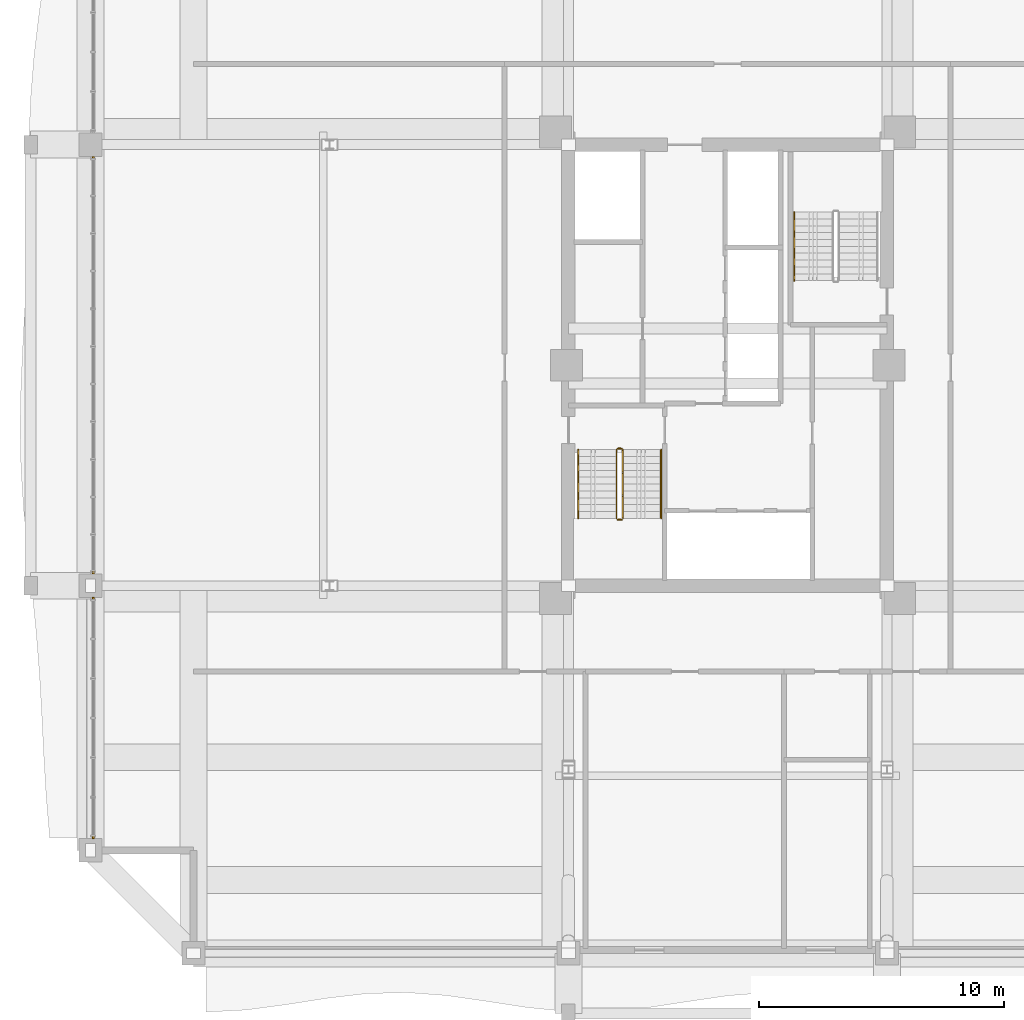
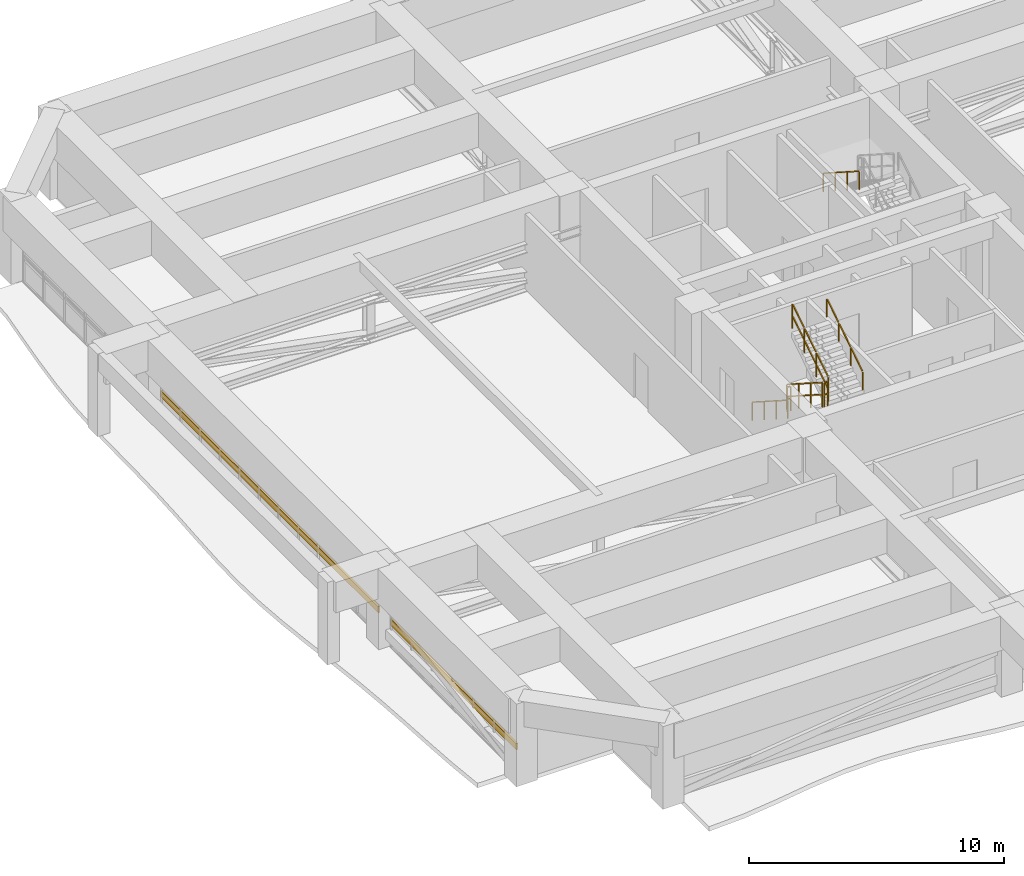
# One storey, part 32 of 35: 7 railings, 2 shading devices.
"""IFC4 building model written with IfcOpenShell, lengths in metres."""

from ifc_helpers import new_model, si_unit, direction, frame, origin, origin_2d, place, context, subcontext, project, spatial, rectangle, extrude, source, transform, mapped, material, material_profile, profile_set, type_object, element, save


model = new_model("IFC4")

# Units and contexts
model_context = context("Model", 3, precision=1e-05, world=origin(), true_north=direction((0.0, 1.0)))
body_context = subcontext(model_context, "Body", "Model", "MODEL_VIEW")
ifc_project = project(units=[si_unit("LENGTHUNIT", "METRE"), si_unit("AREAUNIT", "SQUARE_METRE"), si_unit("VOLUMEUNIT", "CUBIC_METRE"), si_unit("PLANEANGLEUNIT", "RADIAN"), si_unit("MASSUNIT", "GRAM", prefix="KILO")], contexts=[model_context])

# Site, building, storey
site_placement = place(None, origin())
site = spatial("IfcSite", under=ifc_project, at=site_placement, CompositionType="ELEMENT")
building_placement = place(site_placement, origin())
building = spatial("IfcBuilding", under=site, at=building_placement, Name="Saelheon Loggia Tower", CompositionType="ELEMENT")
storey_placement = place(building_placement, frame((0.0, 0.0, 144.75)))
storey = spatial("IfcBuildingStorey", under=building, at=storey_placement, Name="L46", CompositionType="ELEMENT", Elevation=144.75)

# Railings
ifc_material_1 = material(Name="Galvanised Steel S275 Stairwell Guardrail", Category="steel")
railing_type_1 = type_object("IfcRailingType", Name="Guard_StairWell_RL_STG", PredefinedType="GUARDRAIL", material=ifc_material_1)
railing_1_placement = place(storey_placement, frame((33.4599609375, 23.550048828125, 0.179443359375)))
element("IfcRailing", 1, at=railing_1_placement, inside=storey, type_object=railing_type_1, Name="L46 ST1 stair guard 1", PredefinedType="GUARDRAIL", context=body_context, shape_type="SweptSolid", body=[
    extrude(rectangle(XDim=0.048095703125, YDim=0.048095703125, at=origin_2d()), frame((0.0, -0.028076171875, 1.19384765625), z_axis=(0.0, -0.841776520102, 0.539826166654), x_axis=(1.0, 0.0, 0.0)), (0.0, 0.0, 1.0), 1.042236328125),
    extrude(rectangle(XDim=0.048095703125, YDim=0.048095703125, at=origin_2d()), frame((0.0, -0.028076171875, 0.617919921875), z_axis=(0.0, -0.841776520102, 0.539826166654), x_axis=(1.0, 0.0, 0.0)), (0.0, 0.0, 1.0), 1.042236328125),
    extrude(rectangle(XDim=0.048095703125, YDim=0.048095703125, at=origin_2d()), frame((0.0, -0.96142578125, 1.79248046875), z_axis=(0.0, -0.841776520102, 0.539826166654), x_axis=(1.0, 0.0, 0.0)), (0.0, 0.0, 1.0), 1.042236328125),
    extrude(rectangle(XDim=0.048095703125, YDim=0.048095703125, at=origin_2d()), frame((0.0, -0.96142578125, 1.216552734375), z_axis=(0.0, -0.841776520102, 0.539826166654), x_axis=(1.0, 0.0, 0.0)), (0.0, 0.0, 1.0), 1.042236328125),
    extrude(rectangle(XDim=0.048095703125, YDim=0.048095703125, at=origin_2d()), frame((0.0, -1.894775390625, 2.390869140625), z_axis=(0.0, -0.841776520102, 0.539826166654), x_axis=(1.0, 0.0, 0.0)), (0.0, 0.0, 1.0), 1.042236328125),
    extrude(rectangle(XDim=0.048095703125, YDim=0.048095703125, at=origin_2d()), frame((0.0, -1.894775390625, 1.81494140625), z_axis=(0.0, -0.841776520102, 0.539826166654), x_axis=(1.0, 0.0, 0.0)), (0.0, 0.0, 1.0), 1.042236328125),
    extrude(rectangle(XDim=0.0419921875, YDim=0.0419921875, at=origin_2d()), origin(), (0.0, 0.0, 1.0), 1.14794921875),
    extrude(rectangle(XDim=0.0419921875, YDim=0.0419921875, at=origin_2d()), frame((0.0, -0.933349609375, 0.5986328125)), (0.0, 0.0, 1.0), 1.14794921875),
    extrude(rectangle(XDim=0.0419921875, YDim=0.0419921875, at=origin_2d()), frame((0.0, -1.86669921875, 1.197021484375)), (0.0, 0.0, 1.0), 1.14794921875),
    extrude(rectangle(XDim=0.0419921875, YDim=0.0419921875, at=origin_2d()), frame((0.0, -2.800048828125, 1.795654296875)), (0.0, 0.0, 1.0), 1.14794921875),
])
railing_2_placement = place(storey_placement, frame((33.510009765625, 20.699951171875, 1.97509765625)))
element("IfcRailing", 2, at=railing_2_placement, inside=storey, type_object=railing_type_1, Name="L46 ST1 stair guard 2", PredefinedType="GUARDRAIL", context=body_context, shape_type="SweptSolid", body=[
    extrude(rectangle(XDim=0.048095703125, YDim=0.048095703125, at=origin_2d()), frame((0.033203125, 0.0, 1.17578125), z_axis=(1.0, 0.0, 0.0), x_axis=(0.0, 1.0, 0.0)), (0.0, 0.0, 1.0), 0.093505859375),
    extrude(rectangle(XDim=0.048095703125, YDim=0.048095703125, at=origin_2d()), frame((0.033203125, 0.0, 0.60009765625), z_axis=(1.0, 0.0, 0.0), x_axis=(0.0, 1.0, 0.0)), (0.0, 0.0, 1.0), 0.093505859375),
    extrude(rectangle(XDim=0.0419921875, YDim=0.0419921875, at=origin_2d()), origin(), (0.0, 0.0, 1.0), 1.14794921875),
    extrude(rectangle(XDim=0.0419921875, YDim=0.0419921875, at=origin_2d()), frame((0.159912109375, 0.0, 0.0)), (0.0, 0.0, 1.0), 1.14794921875),
])
railing_3_placement = place(storey_placement, frame((33.719970703125, 20.75, 2.154541015625)))
element("IfcRailing", 3, at=railing_3_placement, inside=storey, type_object=railing_type_1, Name="L46 ST1 stair guard 3", PredefinedType="GUARDRAIL", context=body_context, shape_type="SweptSolid", body=[
    extrude(rectangle(XDim=0.048095703125, YDim=0.048095703125, at=origin_2d()), frame((0.0, 0.028076171875, 1.19384765625), z_axis=(0.0, 0.841809871826, 0.539774156196), x_axis=(-1.0, 0.0, 0.0)), (0.0, 0.0, 1.0), 1.042236328125),
    extrude(rectangle(XDim=0.048095703125, YDim=0.048095703125, at=origin_2d()), frame((0.0, 0.028076171875, 0.617919921875), z_axis=(0.0, 0.841809871826, 0.539774156196), x_axis=(-1.0, 0.0, 0.0)), (0.0, 0.0, 1.0), 1.042236328125),
    extrude(rectangle(XDim=0.048095703125, YDim=0.048095703125, at=origin_2d()), frame((0.0, 0.96142578125, 1.792236328125), z_axis=(0.0, 0.841809871826, 0.539774156196), x_axis=(-1.0, 0.0, 0.0)), (0.0, 0.0, 1.0), 1.042236328125),
    extrude(rectangle(XDim=0.048095703125, YDim=0.048095703125, at=origin_2d()), frame((0.0, 0.96142578125, 1.21630859375), z_axis=(0.0, 0.841809871826, 0.539774156196), x_axis=(-1.0, 0.0, 0.0)), (0.0, 0.0, 1.0), 1.042236328125),
    extrude(rectangle(XDim=0.048095703125, YDim=0.048095703125, at=origin_2d()), frame((0.0, 1.894775390625, 2.390869140625), z_axis=(0.0, 0.841809871826, 0.539774156196), x_axis=(-1.0, 0.0, 0.0)), (0.0, 0.0, 1.0), 1.042236328125),
    extrude(rectangle(XDim=0.048095703125, YDim=0.048095703125, at=origin_2d()), frame((0.0, 1.894775390625, 1.81494140625), z_axis=(0.0, 0.841809871826, 0.539774156196), x_axis=(-1.0, 0.0, 0.0)), (0.0, 0.0, 1.0), 1.042236328125),
    extrude(rectangle(XDim=0.0419921875, YDim=0.0419921875, at=origin_2d()), origin(), (0.0, 0.0, 1.0), 1.14794921875),
    extrude(rectangle(XDim=0.0419921875, YDim=0.0419921875, at=origin_2d()), frame((0.0, 0.933349609375, 0.598388671875)), (0.0, 0.0, 1.0), 1.14794921875),
    extrude(rectangle(XDim=0.0419921875, YDim=0.0419921875, at=origin_2d()), frame((0.0, 1.86669921875, 1.197021484375)), (0.0, 0.0, 1.0), 1.14794921875),
    extrude(rectangle(XDim=0.0419921875, YDim=0.0419921875, at=origin_2d()), frame((0.0, 2.800048828125, 1.79541015625)), (0.0, 0.0, 1.0), 1.14794921875),
])
railing_4_placement = place(storey_placement, frame((33.510009765625, 23.60009765625, 0.0)))
element("IfcRailing", 4, at=railing_4_placement, inside=storey, type_object=railing_type_1, Name="L46 ST1 stair guard 4", PredefinedType="GUARDRAIL", context=body_context, shape_type="SweptSolid", body=[
    extrude(rectangle(XDim=0.048095703125, YDim=0.048095703125, at=origin_2d()), frame((0.033203125, 0.0, 1.17578125), z_axis=(1.0, 0.0, 0.0), x_axis=(0.0, 1.0, 0.0)), (0.0, 0.0, 1.0), 0.093505859375),
    extrude(rectangle(XDim=0.048095703125, YDim=0.048095703125, at=origin_2d()), frame((0.033203125, 0.0, 0.60009765625), z_axis=(1.0, 0.0, 0.0), x_axis=(0.0, 1.0, 0.0)), (0.0, 0.0, 1.0), 0.093505859375),
    extrude(rectangle(XDim=0.0419921875, YDim=0.0419921875, at=origin_2d()), origin(), (0.0, 0.0, 1.0), 1.14794921875),
    extrude(rectangle(XDim=0.0419921875, YDim=0.0419921875, at=origin_2d()), frame((0.159912109375, 0.0, 0.0)), (0.0, 0.0, 1.0), 1.14794921875),
])
ifc_material_2 = material(Name="Stainless Steel 304 Tubular Handrail", Category="steel")
railing_type_2 = type_object("IfcRailingType", Name="Handrail_Stair_RL_HR1", PredefinedType="HANDRAIL", material=ifc_material_2)
railing_5_placement = place(storey_placement, frame((31.89990234375, 23.550048828125, 0.179443359375)))
element("IfcRailing", 5, at=railing_5_placement, inside=storey, type_object=railing_type_2, Name="L46 ST1 stair handrail 1", PredefinedType="HANDRAIL", context=body_context, shape_type="SweptSolid", body=[
    extrude(rectangle(XDim=0.048095703125, YDim=0.048095703125, at=origin_2d()), frame((0.0, -0.028076171875, 0.893798828125), z_axis=(0.0, -0.841776520102, 0.539826166654), x_axis=(1.0, 0.0, 0.0)), (0.0, 0.0, 1.0), 1.042236328125),
    extrude(rectangle(XDim=0.048095703125, YDim=0.048095703125, at=origin_2d()), frame((0.0, -0.96142578125, 1.492431640625), z_axis=(0.0, -0.841776520102, 0.539826166654), x_axis=(1.0, 0.0, 0.0)), (0.0, 0.0, 1.0), 1.042236328125),
    extrude(rectangle(XDim=0.048095703125, YDim=0.048095703125, at=origin_2d()), frame((0.0, -1.894775390625, 2.0908203125), z_axis=(0.0, -0.841776520102, 0.539826166654), x_axis=(1.0, 0.0, 0.0)), (0.0, 0.0, 1.0), 1.042236328125),
    extrude(rectangle(XDim=0.0419921875, YDim=0.0419921875, at=origin_2d()), origin(), (0.0, 0.0, 1.0), 0.847900390625),
    extrude(rectangle(XDim=0.0419921875, YDim=0.0419921875, at=origin_2d()), frame((0.0, -0.933349609375, 0.5986328125)), (0.0, 0.0, 1.0), 0.847900390625),
    extrude(rectangle(XDim=0.0419921875, YDim=0.0419921875, at=origin_2d()), frame((0.0, -1.86669921875, 1.197021484375)), (0.0, 0.0, 1.0), 0.847900390625),
    extrude(rectangle(XDim=0.0419921875, YDim=0.0419921875, at=origin_2d()), frame((0.0, -2.800048828125, 1.795654296875)), (0.0, 0.0, 1.0), 0.847900390625),
])
railing_6_placement = place(storey_placement, frame((35.280029296875, 20.75, 2.154541015625)))
element("IfcRailing", 6, at=railing_6_placement, inside=storey, type_object=railing_type_2, Name="L46 ST1 stair handrail 2", PredefinedType="HANDRAIL", context=body_context, shape_type="SweptSolid", body=[
    extrude(rectangle(XDim=0.048095703125, YDim=0.048095703125, at=origin_2d()), frame((0.0, 0.028076171875, 0.893798828125), z_axis=(0.0, 0.841809871826, 0.539774156196), x_axis=(-1.0, 0.0, 0.0)), (0.0, 0.0, 1.0), 1.042236328125),
    extrude(rectangle(XDim=0.048095703125, YDim=0.048095703125, at=origin_2d()), frame((0.0, 0.96142578125, 1.4921875), z_axis=(0.0, 0.841809871826, 0.539774156196), x_axis=(-1.0, 0.0, 0.0)), (0.0, 0.0, 1.0), 1.042236328125),
    extrude(rectangle(XDim=0.048095703125, YDim=0.048095703125, at=origin_2d()), frame((0.0, 1.894775390625, 2.0908203125), z_axis=(0.0, 0.841809871826, 0.539774156196), x_axis=(-1.0, 0.0, 0.0)), (0.0, 0.0, 1.0), 1.042236328125),
    extrude(rectangle(XDim=0.0419921875, YDim=0.0419921875, at=origin_2d()), origin(), (0.0, 0.0, 1.0), 0.847900390625),
    extrude(rectangle(XDim=0.0419921875, YDim=0.0419921875, at=origin_2d()), frame((0.0, 0.933349609375, 0.598388671875)), (0.0, 0.0, 1.0), 0.847900390625),
    extrude(rectangle(XDim=0.0419921875, YDim=0.0419921875, at=origin_2d()), frame((0.0, 1.86669921875, 1.197021484375)), (0.0, 0.0, 1.0), 0.847900390625),
    extrude(rectangle(XDim=0.0419921875, YDim=0.0419921875, at=origin_2d()), frame((0.0, 2.800048828125, 1.79541015625)), (0.0, 0.0, 1.0), 0.847900390625),
])
railing_7_placement = place(storey_placement, frame((40.719970703125, 33.25, 2.154541015625)))
element("IfcRailing", 7, at=railing_7_placement, inside=storey, type_object=railing_type_2, Name="L46 ST2 stair handrail 2", PredefinedType="HANDRAIL", context=body_context, shape_type="SweptSolid", body=[
    extrude(rectangle(XDim=0.048095703125, YDim=0.048095703125, at=origin_2d()), frame((0.0, -0.028076171875, 0.893798828125), z_axis=(0.0, -0.841809871826, 0.539774156196), x_axis=(1.0, 0.0, 0.0)), (0.0, 0.0, 1.0), 1.042236328125),
    extrude(rectangle(XDim=0.048095703125, YDim=0.048095703125, at=origin_2d()), frame((0.0, -0.96142578125, 1.4921875), z_axis=(0.0, -0.841809871826, 0.539774156196), x_axis=(1.0, 0.0, 0.0)), (0.0, 0.0, 1.0), 1.042236328125),
    extrude(rectangle(XDim=0.048095703125, YDim=0.048095703125, at=origin_2d()), frame((0.0, -1.894775390625, 2.0908203125), z_axis=(0.0, -0.841809871826, 0.539774156196), x_axis=(1.0, 0.0, 0.0)), (0.0, 0.0, 1.0), 1.042236328125),
    extrude(rectangle(XDim=0.0419921875, YDim=0.0419921875, at=origin_2d()), origin(), (0.0, 0.0, 1.0), 0.847900390625),
    extrude(rectangle(XDim=0.0419921875, YDim=0.0419921875, at=origin_2d()), frame((0.0, -0.933349609375, 0.598388671875)), (0.0, 0.0, 1.0), 0.847900390625),
    extrude(rectangle(XDim=0.0419921875, YDim=0.0419921875, at=origin_2d()), frame((0.0, -1.86669921875, 1.197021484375)), (0.0, 0.0, 1.0), 0.847900390625),
    extrude(rectangle(XDim=0.0419921875, YDim=0.0419921875, at=origin_2d()), frame((0.0, -2.800048828125, 1.79541015625)), (0.0, 0.0, 1.0), 0.847900390625),
])

# Shading devices
ifc_material_3 = material(Name="Bronze-Anodised Aluminium 6063-T6", Category="aluminium")
ifc_material_profile = material_profile(ifc_material_3, rectangle(XDim=0.080078125, YDim=0.300048828125, at=origin_2d()), Name="Louvre_Refuge_LV_RF1")
ifc_profile_set = profile_set([ifc_material_profile], Name="Bronze-Anodised Aluminium 6063-T6")
shading_device_type = type_object("IfcShadingDeviceType", Name="Louvre_Refuge_LV_RF1", PredefinedType="JALOUSIE", material=ifc_profile_set)
shared_shape_1 = source(origin(), body_context, "Body", "SweptSolid", [
    extrude(rectangle(XDim=0.080078125, YDim=0.300048828125, at=origin_2d()), origin(), (0.0, 0.0, 1.0), 17.0400390625),
])
shading_device_1_placement = place(storey_placement, frame((12.10009765625, 18.47998046875, 1.14990234375), z_axis=(0.0, 1.0, 0.0), x_axis=(-1.0, 0.0, 0.0)))
element("IfcShadingDevice", 8, at=shading_device_1_placement, inside=storey, type_object=shading_device_type, Name="L46 Refuge Acoustic Louvre Blade", PredefinedType="JALOUSIE", context=body_context, shape_type="MappedRepresentation", body=[
    mapped(shared_shape_1, transform((0.0, 0.0, 0.0), scale=1.0)),
])
shared_shape_2 = source(origin(), body_context, "Body", "SweptSolid", [
    extrude(rectangle(XDim=0.080078125, YDim=0.300048828125, at=origin_2d()), origin(), (0.0, 0.0, 1.0), 9.840087890625),
])
shading_device_2_placement = place(storey_placement, frame((12.10009765625, 7.679931640625, 1.14990234375), z_axis=(0.0, 1.0, 0.0), x_axis=(-1.0, 0.0, 0.0)))
element("IfcShadingDevice", 9, at=shading_device_2_placement, inside=storey, type_object=shading_device_type, Name="L46 Refuge Acoustic Louvre Blade", PredefinedType="JALOUSIE", context=body_context, shape_type="MappedRepresentation", body=[
    mapped(shared_shape_2, transform((0.0, 0.0, 0.0), scale=1.0)),
])

save(model, "model.ifc")
